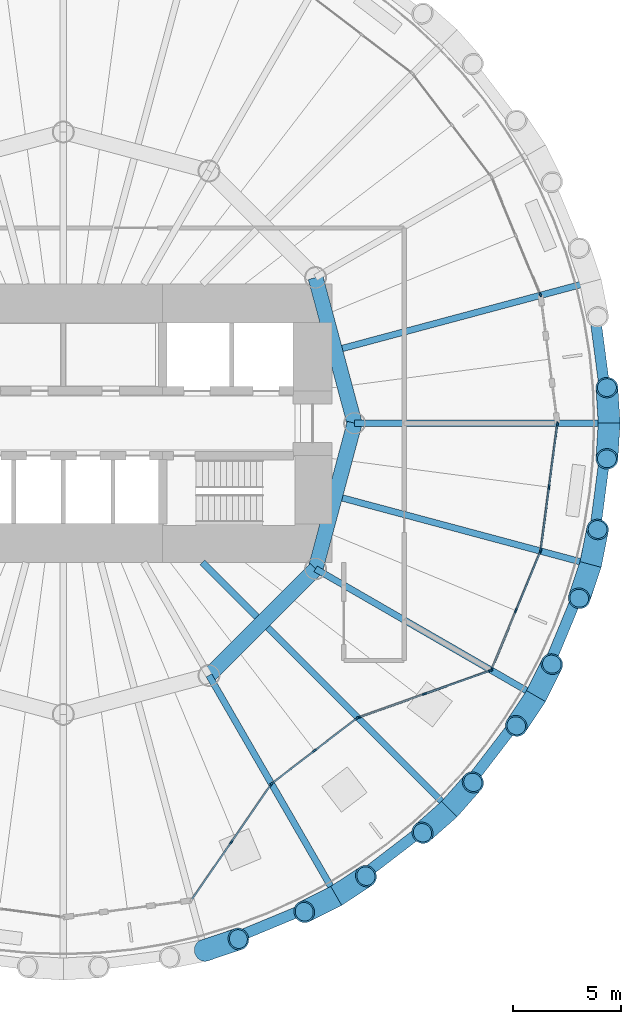
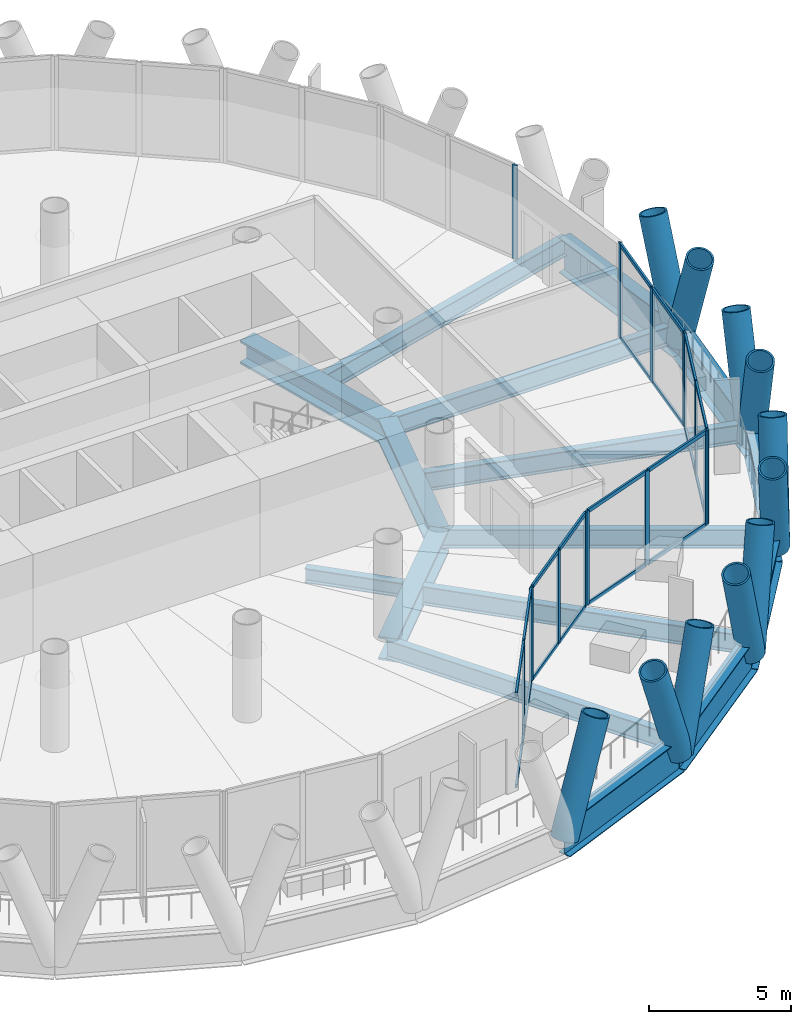
# One storey, part 4 of 15: 46 members, 16 beams, 6 elements without a shape of their own.
"""IFC4 building model written with IfcOpenShell, lengths in metres."""

from ifc_helpers import new_model, si_unit, direction, frame, origin, origin_2d, place, context, subcontext, project, spatial, rectangle, hollow_circle, i_section, extrude, material, material_profile, profile_set, type_object, element, aggregate, save


model = new_model("IFC4")

# Units and contexts
model_context = context("Model", 3, precision=1e-05, world=origin(), true_north=direction((0.0, 1.0)))
body_context = subcontext(model_context, "Body", "Model", "MODEL_VIEW")
ifc_project = project(units=[si_unit("LENGTHUNIT", "METRE"), si_unit("AREAUNIT", "SQUARE_METRE"), si_unit("VOLUMEUNIT", "CUBIC_METRE"), si_unit("PLANEANGLEUNIT", "RADIAN"), si_unit("MASSUNIT", "GRAM", prefix="KILO")], contexts=[model_context])

# Site, building, storey
site_placement = place(None, origin())
site = spatial("IfcSite", under=ifc_project, at=site_placement, CompositionType="ELEMENT")
building_placement = place(site_placement, origin())
building = spatial("IfcBuilding", under=site, at=building_placement, Name="Qaws Media Tower", CompositionType="ELEMENT")
storey_placement = place(building_placement, frame((0.0, 0.0, 110.0)))
storey = spatial("IfcBuildingStorey", under=building, at=storey_placement, Name="L24", CompositionType="ELEMENT", Elevation=110.0)

# Curtain wall, member
ifc_material_1 = material(Name="Aluminium and clear glass", Category="aluminium")
curtain_wall_type_1 = type_object("IfcCurtainWallType", Name="Unitised curtain wall CW-B", PredefinedType="NOTDEFINED", material=ifc_material_1)
curtain_wall_1_placement = place(storey_placement, origin())
curtain_wall_1 = element("IfcCurtainWall", 1, at=curtain_wall_1_placement, inside=storey, type_object=curtain_wall_type_1, Name="CWB curtain wall L24-02", PredefinedType="NOTDEFINED")
ifc_material_2 = material(Name="Aluminium mullion", Category="aluminium")
ifc_material_profile_1 = material_profile(ifc_material_2, rectangle(XDim=0.080078125, YDim=0.199951171875, at=origin_2d()), Name="80x200")
ifc_profile_set_1 = profile_set([ifc_material_profile_1], Name="Aluminium mullion")
member_type_1 = type_object("IfcMemberType", Name="Curtain wall mullion 80x200", PredefinedType="MULLION", material=ifc_profile_set_1)
member_1_placement = place(storey_placement, frame((82.1044921875, 55.9638671875, 0.0), z_axis=(0.0, 0.0, 1.0), x_axis=(-0.923879575705, -0.382683328086, 0.0)))
member_1 = element("IfcMember", 2, at=member_1_placement, type_object=member_type_1, Name="CWB mullion 1", PredefinedType="MULLION", context=body_context, shape_type="SweptSolid", body=[
    extrude(rectangle(XDim=0.080078125, YDim=0.199951171875, at=origin_2d()), origin(), (0.0, 0.0, 1.0), 4.0400390625),
])
aggregate(curtain_wall_1, [member_1])

# Curtain wall, members
ifc_material_3 = material(Name="Aluminium and clear glass", Category="aluminium")
curtain_wall_type_2 = type_object("IfcCurtainWallType", Name="Loggia curtain wall CW-G", PredefinedType="NOTDEFINED", material=ifc_material_3)
curtain_wall_2_placement = place(storey_placement, origin())
curtain_wall_2 = element("IfcCurtainWall", 3, at=curtain_wall_2_placement, inside=storey, type_object=curtain_wall_type_2, Name="CWG curtain wall L24-20", PredefinedType="NOTDEFINED")
member_2_placement = place(storey_placement, frame((67.78857421875, 30.5830078125, 0.0), z_axis=(0.0, 0.0, 1.0), x_axis=(-0.823556254037, 0.567234604406, 0.0)))
member_2 = element("IfcMember", 4, at=member_2_placement, type_object=member_type_1, Name="CWG mullion 2", PredefinedType="MULLION", context=body_context, shape_type="SweptSolid", body=[
    extrude(rectangle(XDim=0.080078125, YDim=0.199951171875, at=origin_2d()), origin(), (0.0, 0.0, 1.0), 4.0400390625),
])
member_3_placement = place(storey_placement, frame((69.627197265625, 33.252685546875, 0.0), z_axis=(0.0, 0.0, 1.0), x_axis=(-0.823556254037, 0.567234604406, 0.0)))
member_3 = element("IfcMember", 5, at=member_3_placement, type_object=member_type_1, Name="CWG mullion 3", PredefinedType="MULLION", context=body_context, shape_type="SweptSolid", body=[
    extrude(rectangle(XDim=0.080078125, YDim=0.199951171875, at=origin_2d()), origin(), (0.0, 0.0, 1.0), 4.0400390625),
])

curtain_wall_3_placement = place(storey_placement, origin())
curtain_wall_3 = element("IfcCurtainWall", 6, at=curtain_wall_3_placement, inside=storey, type_object=curtain_wall_type_2, Name="CWG curtain wall L24-21", PredefinedType="NOTDEFINED")
member_4_placement = place(storey_placement, frame((69.681640625, 33.31005859375, 0.0), z_axis=(0.0, 0.0, 1.0), x_axis=(-0.608761365217, 0.79335338924, 0.0)))
member_4 = element("IfcMember", 7, at=member_4_placement, type_object=member_type_1, Name="CWG mullion 1", PredefinedType="MULLION", context=body_context, shape_type="SweptSolid", body=[
    extrude(rectangle(XDim=0.080078125, YDim=0.199951171875, at=origin_2d()), origin(), (0.0, 0.0, 1.0), 4.0400390625),
])
member_5_placement = place(storey_placement, frame((71.648681640625, 34.8193359375, 0.0), z_axis=(0.0, 0.0, 1.0), x_axis=(-0.608761365217, 0.79335338924, 0.0)))
member_5 = element("IfcMember", 8, at=member_5_placement, type_object=member_type_1, Name="CWG mullion 2", PredefinedType="MULLION", context=body_context, shape_type="SweptSolid", body=[
    extrude(rectangle(XDim=0.080078125, YDim=0.199951171875, at=origin_2d()), origin(), (0.0, 0.0, 1.0), 4.0400390625),
])
member_6_placement = place(storey_placement, frame((73.615478515625, 36.328369140625, 0.0), z_axis=(0.0, 0.0, 1.0), x_axis=(-0.608761365217, 0.79335338924, 0.0)))
member_6 = element("IfcMember", 9, at=member_6_placement, type_object=member_type_1, Name="CWG mullion 3", PredefinedType="MULLION", context=body_context, shape_type="SweptSolid", body=[
    extrude(rectangle(XDim=0.080078125, YDim=0.199951171875, at=origin_2d()), origin(), (0.0, 0.0, 1.0), 4.0400390625),
])

curtain_wall_4_placement = place(storey_placement, origin())
curtain_wall_4 = element("IfcCurtainWall", 10, at=curtain_wall_4_placement, inside=storey, type_object=curtain_wall_type_2, Name="CWG curtain wall L24-22", PredefinedType="NOTDEFINED")
member_7_placement = place(storey_placement, frame((73.684814453125, 36.3662109375, 0.0), z_axis=(0.0, 0.0, 1.0), x_axis=(-0.334754494882, 0.942305379459, 0.0)))
member_7 = element("IfcMember", 11, at=member_7_placement, type_object=member_type_1, Name="CWG mullion 1", PredefinedType="MULLION", context=body_context, shape_type="SweptSolid", body=[
    extrude(rectangle(XDim=0.080078125, YDim=0.199951171875, at=origin_2d()), origin(), (0.0, 0.0, 1.0), 4.0400390625),
])
member_8_placement = place(storey_placement, frame((76.739501953125, 37.451416015625, 0.0), z_axis=(0.0, 0.0, 1.0), x_axis=(-0.334754494882, 0.942305379459, 0.0)))
member_8 = element("IfcMember", 12, at=member_8_placement, type_object=member_type_1, Name="CWG mullion 2", PredefinedType="MULLION", context=body_context, shape_type="SweptSolid", body=[
    extrude(rectangle(XDim=0.080078125, YDim=0.199951171875, at=origin_2d()), origin(), (0.0, 0.0, 1.0), 4.0400390625),
])
member_9_placement = place(storey_placement, frame((79.794189453125, 38.53662109375, 0.0), z_axis=(0.0, 0.0, 1.0), x_axis=(-0.334754494882, 0.942305379459, 0.0)))
member_9 = element("IfcMember", 13, at=member_9_placement, type_object=member_type_1, Name="CWG mullion 3", PredefinedType="MULLION", context=body_context, shape_type="SweptSolid", body=[
    extrude(rectangle(XDim=0.080078125, YDim=0.199951171875, at=origin_2d()), origin(), (0.0, 0.0, 1.0), 4.0400390625),
])

curtain_wall_5_placement = place(storey_placement, origin())
curtain_wall_5 = element("IfcCurtainWall", 14, at=curtain_wall_5_placement, inside=storey, type_object=curtain_wall_type_1, Name="CWB curtain wall L24-23", PredefinedType="NOTDEFINED")
member_10_placement = place(storey_placement, frame((79.84716796875, 38.5869140625, 0.0), z_axis=(0.0, 0.0, 1.0), x_axis=(-0.923879575705, 0.382683328086, 0.0)))
member_10 = element("IfcMember", 15, at=member_10_placement, type_object=member_type_1, Name="CWB mullion 1", PredefinedType="MULLION", context=body_context, shape_type="SweptSolid", body=[
    extrude(rectangle(XDim=0.080078125, YDim=0.199951171875, at=origin_2d()), origin(), (0.0, 0.0, 1.0), 4.0400390625),
])
member_11_placement = place(storey_placement, frame((80.975830078125, 41.3115234375, 0.0), z_axis=(0.0, 0.0, 1.0), x_axis=(-0.923879575705, 0.382683328086, 0.0)))
member_11 = element("IfcMember", 16, at=member_11_placement, type_object=member_type_1, Name="CWB mullion 2", PredefinedType="MULLION", context=body_context, shape_type="SweptSolid", body=[
    extrude(rectangle(XDim=0.080078125, YDim=0.199951171875, at=origin_2d()), origin(), (0.0, 0.0, 1.0), 4.0400390625),
])
member_12_placement = place(storey_placement, frame((82.1044921875, 44.0361328125, 0.0), z_axis=(0.0, 0.0, 1.0), x_axis=(-0.923879575705, 0.382683328086, 0.0)))
member_12 = element("IfcMember", 17, at=member_12_placement, type_object=member_type_1, Name="CWB mullion 3", PredefinedType="MULLION", context=body_context, shape_type="SweptSolid", body=[
    extrude(rectangle(XDim=0.080078125, YDim=0.199951171875, at=origin_2d()), origin(), (0.0, 0.0, 1.0), 4.0400390625),
])

curtain_wall_6_placement = place(storey_placement, origin())
curtain_wall_6 = element("IfcCurtainWall", 18, at=curtain_wall_6_placement, inside=storey, type_object=curtain_wall_type_1, Name="CWB curtain wall L24-24", PredefinedType="NOTDEFINED")
member_13_placement = place(storey_placement, frame((82.125, 44.11279296875, 0.0), z_axis=(0.0, 0.0, 1.0), x_axis=(-0.99144485186, 0.130526264481, 0.0)))
member_13 = element("IfcMember", 19, at=member_13_placement, type_object=member_type_1, Name="CWB mullion 1", PredefinedType="MULLION", context=body_context, shape_type="SweptSolid", body=[
    extrude(rectangle(XDim=0.080078125, YDim=0.199951171875, at=origin_2d()), origin(), (0.0, 0.0, 1.0), 4.0400390625),
])
member_14_placement = place(storey_placement, frame((82.509765625, 47.03662109375, 0.0), z_axis=(0.0, 0.0, 1.0), x_axis=(-0.99144485186, 0.130526264481, 0.0)))
member_14 = element("IfcMember", 20, at=member_14_placement, type_object=member_type_1, Name="CWB mullion 2", PredefinedType="MULLION", context=body_context, shape_type="SweptSolid", body=[
    extrude(rectangle(XDim=0.080078125, YDim=0.199951171875, at=origin_2d()), origin(), (0.0, 0.0, 1.0), 4.0400390625),
])
member_15_placement = place(storey_placement, frame((82.894775390625, 49.96044921875, 0.0), z_axis=(0.0, 0.0, 1.0), x_axis=(-0.99144485186, 0.130526264481, 0.0)))
member_15 = element("IfcMember", 21, at=member_15_placement, type_object=member_type_1, Name="CWB mullion 3", PredefinedType="MULLION", context=body_context, shape_type="SweptSolid", body=[
    extrude(rectangle(XDim=0.080078125, YDim=0.199951171875, at=origin_2d()), origin(), (0.0, 0.0, 1.0), 4.0400390625),
])

# Member
ifc_material_4 = material(Name="Aluminium transom", Category="aluminium")
ifc_material_profile_2 = material_profile(ifc_material_4, rectangle(XDim=0.080078125, YDim=0.159912109375, at=origin_2d()), Name="80x160")
ifc_profile_set_2 = profile_set([ifc_material_profile_2], Name="Aluminium transom")
member_type_2 = type_object("IfcMemberType", Name="Curtain wall transom 80x160", PredefinedType="USERDEFINED", material=ifc_profile_set_2)
member_16_placement = place(storey_placement, frame((65.972412109375, 27.9462890625, 0.0400390625), z_axis=(0.567252867706, 0.823543674664, 0.0), x_axis=(-0.823543674664, 0.567252867706, 0.0)))
member_16 = element("IfcMember", 22, at=member_16_placement, type_object=member_type_2, Name="CWG transom 1.1", ObjectType="TRANSOM", PredefinedType="USERDEFINED", context=body_context, shape_type="SweptSolid", body=[
    extrude(rectangle(XDim=0.080078125, YDim=0.159912109375, at=origin_2d()), origin(), (0.0, 0.0, 1.0), 3.16162109375),
])

member_17_placement = place(storey_placement, frame((65.972412109375, 27.9462890625, 4.0), z_axis=(0.567252867706, 0.823543674664, 0.0), x_axis=(-0.823543674664, 0.567252867706, 0.0)))
member_17 = element("IfcMember", 23, at=member_17_placement, type_object=member_type_2, Name="CWG transom 1.2", ObjectType="TRANSOM", PredefinedType="USERDEFINED", context=body_context, shape_type="SweptSolid", body=[
    extrude(rectangle(XDim=0.080078125, YDim=0.159912109375, at=origin_2d()), origin(), (0.0, 0.0, 1.0), 3.16162109375),
])

member_18_placement = place(storey_placement, frame((67.811279296875, 30.615966796875, 0.0400390625), z_axis=(0.567252867706, 0.823543674664, 0.0), x_axis=(-0.823543674664, 0.567252867706, 0.0)))
member_18 = element("IfcMember", 24, at=member_18_placement, type_object=member_type_2, Name="CWG transom 2.1", ObjectType="TRANSOM", PredefinedType="USERDEFINED", context=body_context, shape_type="SweptSolid", body=[
    extrude(rectangle(XDim=0.080078125, YDim=0.159912109375, at=origin_2d()), origin(), (0.0, 0.0, 1.0), 3.16162109375),
])

member_19_placement = place(storey_placement, frame((67.811279296875, 30.615966796875, 4.0), z_axis=(0.567252867706, 0.823543674664, 0.0), x_axis=(-0.823543674664, 0.567252867706, 0.0)))
member_19 = element("IfcMember", 25, at=member_19_placement, type_object=member_type_2, Name="CWG transom 2.2", ObjectType="TRANSOM", PredefinedType="USERDEFINED", context=body_context, shape_type="SweptSolid", body=[
    extrude(rectangle(XDim=0.080078125, YDim=0.159912109375, at=origin_2d()), origin(), (0.0, 0.0, 1.0), 3.16162109375),
])

aggregate(curtain_wall_2, [member_2, member_3, member_16, member_17, member_18, member_19])

member_20_placement = place(storey_placement, frame((69.71337890625, 33.33447265625, 0.0400390625), z_axis=(0.793395038858, 0.608707082525, 0.0), x_axis=(-0.608707082525, 0.793395038858, 0.0)))
member_20 = element("IfcMember", 26, at=member_20_placement, type_object=member_type_2, Name="CWG transom 1.1", ObjectType="TRANSOM", PredefinedType="USERDEFINED", context=body_context, shape_type="SweptSolid", body=[
    extrude(rectangle(XDim=0.080078125, YDim=0.159912109375, at=origin_2d()), origin(), (0.0, 0.0, 1.0), 2.399169921875),
])

member_21_placement = place(storey_placement, frame((69.71337890625, 33.33447265625, 4.0), z_axis=(0.793395038858, 0.608707082525, 0.0), x_axis=(-0.608707082525, 0.793395038858, 0.0)))
member_21 = element("IfcMember", 27, at=member_21_placement, type_object=member_type_2, Name="CWG transom 1.2", ObjectType="TRANSOM", PredefinedType="USERDEFINED", context=body_context, shape_type="SweptSolid", body=[
    extrude(rectangle(XDim=0.080078125, YDim=0.159912109375, at=origin_2d()), origin(), (0.0, 0.0, 1.0), 2.399169921875),
])

member_22_placement = place(storey_placement, frame((71.680419921875, 34.843505859375, 0.0400390625), z_axis=(0.793308183126, 0.608820274454, 0.0), x_axis=(-0.608820274454, 0.793308183126, 0.0)))
member_22 = element("IfcMember", 28, at=member_22_placement, type_object=member_type_2, Name="CWG transom 2.1", ObjectType="TRANSOM", PredefinedType="USERDEFINED", context=body_context, shape_type="SweptSolid", body=[
    extrude(rectangle(XDim=0.080078125, YDim=0.159912109375, at=origin_2d()), origin(), (0.0, 0.0, 1.0), 2.399169921875),
])

member_23_placement = place(storey_placement, frame((71.680419921875, 34.843505859375, 4.0), z_axis=(0.793308183126, 0.608820274454, 0.0), x_axis=(-0.608820274454, 0.793308183126, 0.0)))
member_23 = element("IfcMember", 29, at=member_23_placement, type_object=member_type_2, Name="CWG transom 2.2", ObjectType="TRANSOM", PredefinedType="USERDEFINED", context=body_context, shape_type="SweptSolid", body=[
    extrude(rectangle(XDim=0.080078125, YDim=0.159912109375, at=origin_2d()), origin(), (0.0, 0.0, 1.0), 2.399169921875),
])

aggregate(curtain_wall_3, [member_4, member_5, member_6, member_20, member_21, member_22, member_23])

member_24_placement = place(storey_placement, frame((73.72265625, 36.379638671875, 0.0400390625), z_axis=(0.942308359385, 0.334746106526, 0.0), x_axis=(-0.334746106526, 0.942308359385, 0.0)))
member_24 = element("IfcMember", 30, at=member_24_placement, type_object=member_type_2, Name="CWG transom 1.1", ObjectType="TRANSOM", PredefinedType="USERDEFINED", context=body_context, shape_type="SweptSolid", body=[
    extrude(rectangle(XDim=0.080078125, YDim=0.159912109375, at=origin_2d()), origin(), (0.0, 0.0, 1.0), 3.16162109375),
])

member_25_placement = place(storey_placement, frame((73.72265625, 36.379638671875, 4.0), z_axis=(0.942308359385, 0.334746106526, 0.0), x_axis=(-0.334746106526, 0.942308359385, 0.0)))
member_25 = element("IfcMember", 31, at=member_25_placement, type_object=member_type_2, Name="CWG transom 1.2", ObjectType="TRANSOM", PredefinedType="USERDEFINED", context=body_context, shape_type="SweptSolid", body=[
    extrude(rectangle(XDim=0.080078125, YDim=0.159912109375, at=origin_2d()), origin(), (0.0, 0.0, 1.0), 3.16162109375),
])

member_26_placement = place(storey_placement, frame((76.77734375, 37.46484375, 0.0400390625), z_axis=(0.942308359385, 0.334746106526, 0.0), x_axis=(-0.334746106526, 0.942308359385, 0.0)))
member_26 = element("IfcMember", 32, at=member_26_placement, type_object=member_type_2, Name="CWG transom 2.1", ObjectType="TRANSOM", PredefinedType="USERDEFINED", context=body_context, shape_type="SweptSolid", body=[
    extrude(rectangle(XDim=0.080078125, YDim=0.159912109375, at=origin_2d()), origin(), (0.0, 0.0, 1.0), 3.16162109375),
])

member_27_placement = place(storey_placement, frame((76.77734375, 37.46484375, 4.0), z_axis=(0.942308359385, 0.334746106526, 0.0), x_axis=(-0.334746106526, 0.942308359385, 0.0)))
member_27 = element("IfcMember", 33, at=member_27_placement, type_object=member_type_2, Name="CWG transom 2.2", ObjectType="TRANSOM", PredefinedType="USERDEFINED", context=body_context, shape_type="SweptSolid", body=[
    extrude(rectangle(XDim=0.080078125, YDim=0.159912109375, at=origin_2d()), origin(), (0.0, 0.0, 1.0), 3.16162109375),
])

aggregate(curtain_wall_4, [member_7, member_8, member_9, member_24, member_25, member_26, member_27])

member_28_placement = place(storey_placement, frame((79.862548828125, 38.6240234375, 0.0400390625), z_axis=(0.382674959875, 0.923883041886, 0.0), x_axis=(-0.923883041886, 0.382674959875, 0.0)))
member_28 = element("IfcMember", 34, at=member_28_placement, type_object=member_type_2, Name="CWB transom 1.1", ObjectType="TRANSOM", PredefinedType="USERDEFINED", context=body_context, shape_type="SweptSolid", body=[
    extrude(rectangle(XDim=0.080078125, YDim=0.159912109375, at=origin_2d()), origin(), (0.0, 0.0, 1.0), 2.868896484375),
])

member_29_placement = place(storey_placement, frame((79.862548828125, 38.6240234375, 4.0), z_axis=(0.382674959875, 0.923883041886, 0.0), x_axis=(-0.923883041886, 0.382674959875, 0.0)))
member_29 = element("IfcMember", 35, at=member_29_placement, type_object=member_type_2, Name="CWB transom 1.2", ObjectType="TRANSOM", PredefinedType="USERDEFINED", context=body_context, shape_type="SweptSolid", body=[
    extrude(rectangle(XDim=0.080078125, YDim=0.159912109375, at=origin_2d()), origin(), (0.0, 0.0, 1.0), 2.868896484375),
])

member_30_placement = place(storey_placement, frame((80.9912109375, 41.348388671875, 0.0400390625), z_axis=(0.382674959875, 0.923883041886, 0.0), x_axis=(-0.923883041886, 0.382674959875, 0.0)))
member_30 = element("IfcMember", 36, at=member_30_placement, type_object=member_type_2, Name="CWB transom 2.1", ObjectType="TRANSOM", PredefinedType="USERDEFINED", context=body_context, shape_type="SweptSolid", body=[
    extrude(rectangle(XDim=0.080078125, YDim=0.159912109375, at=origin_2d()), origin(), (0.0, 0.0, 1.0), 2.868896484375),
])

member_31_placement = place(storey_placement, frame((80.9912109375, 41.348388671875, 4.0), z_axis=(0.382674959875, 0.923883041886, 0.0), x_axis=(-0.923883041886, 0.382674959875, 0.0)))
member_31 = element("IfcMember", 37, at=member_31_placement, type_object=member_type_2, Name="CWB transom 2.2", ObjectType="TRANSOM", PredefinedType="USERDEFINED", context=body_context, shape_type="SweptSolid", body=[
    extrude(rectangle(XDim=0.080078125, YDim=0.159912109375, at=origin_2d()), origin(), (0.0, 0.0, 1.0), 2.868896484375),
])

aggregate(curtain_wall_5, [member_10, member_11, member_12, member_28, member_29, member_30, member_31])

member_32_placement = place(storey_placement, frame((82.130126953125, 44.15234375, 0.0400390625), z_axis=(0.130535957862, 0.991443575654, 0.0), x_axis=(-0.991443575654, 0.130535957862, 0.0)))
member_32 = element("IfcMember", 38, at=member_32_placement, type_object=member_type_2, Name="CWB transom 1.1", ObjectType="TRANSOM", PredefinedType="USERDEFINED", context=body_context, shape_type="SweptSolid", body=[
    extrude(rectangle(XDim=0.080078125, YDim=0.159912109375, at=origin_2d()), origin(), (0.0, 0.0, 1.0), 2.869140625),
])

member_33_placement = place(storey_placement, frame((82.130126953125, 44.15234375, 4.0), z_axis=(0.130535957862, 0.991443575654, 0.0), x_axis=(-0.991443575654, 0.130535957862, 0.0)))
member_33 = element("IfcMember", 39, at=member_33_placement, type_object=member_type_2, Name="CWB transom 1.2", ObjectType="TRANSOM", PredefinedType="USERDEFINED", context=body_context, shape_type="SweptSolid", body=[
    extrude(rectangle(XDim=0.080078125, YDim=0.159912109375, at=origin_2d()), origin(), (0.0, 0.0, 1.0), 2.869140625),
])

member_34_placement = place(storey_placement, frame((82.51513671875, 47.076171875, 0.0400390625), z_axis=(0.130535957862, 0.991443575654, 0.0), x_axis=(-0.991443575654, 0.130535957862, 0.0)))
member_34 = element("IfcMember", 40, at=member_34_placement, type_object=member_type_2, Name="CWB transom 2.1", ObjectType="TRANSOM", PredefinedType="USERDEFINED", context=body_context, shape_type="SweptSolid", body=[
    extrude(rectangle(XDim=0.080078125, YDim=0.159912109375, at=origin_2d()), origin(), (0.0, 0.0, 1.0), 2.869140625),
])

member_35_placement = place(storey_placement, frame((82.51513671875, 47.076171875, 4.0), z_axis=(0.130535957862, 0.991443575654, 0.0), x_axis=(-0.991443575654, 0.130535957862, 0.0)))
member_35 = element("IfcMember", 41, at=member_35_placement, type_object=member_type_2, Name="CWB transom 2.2", ObjectType="TRANSOM", PredefinedType="USERDEFINED", context=body_context, shape_type="SweptSolid", body=[
    extrude(rectangle(XDim=0.080078125, YDim=0.159912109375, at=origin_2d()), origin(), (0.0, 0.0, 1.0), 2.869140625),
])

aggregate(curtain_wall_6, [member_13, member_14, member_15, member_32, member_33, member_34, member_35])

# Members
ifc_material_5 = material(Name="Steel S460", Category="steel")
ifc_material_profile_3 = material_profile(ifc_material_5, hollow_circle(Radius=0.508056640625, WallThickness=0.070068359375, at=origin_2d()), Name="CHS 1016x70")
ifc_profile_set_3 = profile_set([ifc_material_profile_3], Name="Steel S460")
member_type_3 = type_object("IfcMemberType", Name="Diagrid member CHS 1016x70", PredefinedType="USERDEFINED", material=ifc_profile_set_3)
for number, where, z_axis, x_axis, name in (
    (42, (85.300048828125, 50.0, -0.909912109375), (-0.021924499222, 0.348115757593, 0.93719514278), (-0.998022609869, -0.062855947931, 0.0), "DG3 diagrid L24 A01"),
    (43, (85.300048828125, 50.0, -0.909912109375), (-0.021924499222, -0.348115757593, 0.93719514278), (0.998022609869, -0.062855947931, 0.0), "DG3 diagrid L24 B01"),
):
    element("IfcMember", number, at=place(storey_placement, frame(where, z_axis=z_axis, x_axis=x_axis)), inside=storey, type_object=member_type_3, Name=name, ObjectType="DIAGRID", PredefinedType="USERDEFINED", context=body_context, shape_type="SweptSolid", body=[
        extrude(hollow_circle(Radius=0.508056640625, WallThickness=0.070068359375, at=origin_2d()), origin(), (0.0, 0.0, 1.0), 4.74365234375),
    ])
member_36_placement = place(storey_placement, frame((66.548095703125, 25.56201171875, -0.909912109375), z_axis=(0.330611563198, 0.111318930759, 0.937178792939), x_axis=(-0.319103108477, 0.947720004094, 0.0)))
element("IfcMember", 44, at=member_36_placement, inside=storey, type_object=member_type_3, Name="DG3 diagrid L24 A20", ObjectType="DIAGRID", PredefinedType="USERDEFINED", context=body_context, shape_type="SweptSolid", body=[
    extrude(hollow_circle(Radius=0.508056640625, WallThickness=0.070068359375, at=origin_2d()), origin(), (0.0, 0.0, 1.0), 4.743896484375),
])
for number, where, z_axis, x_axis, name in (
    (45, (72.64990234375, 28.089599609375, -0.909912109375), (0.290524249556, 0.193048088589, 0.937191600428), (-0.553439756598, 0.832889209809, 0.0), "DG3 diagrid L24 A21"),
    (46, (72.64990234375, 28.089599609375, -0.909912109375), (-0.312449003566, -0.155066520795, 0.937192613233), (0.4445557978, -0.895751161117, 0.0), "DG3 diagrid L24 B21"),
    (47, (77.889892578125, 32.110107421875, -0.909912109375), (0.230617926796, 0.261703226457, 0.937190905367), (-0.750259666339, 0.661143277259, 0.0), "DG3 diagrid L24 A22"),
    (48, (77.889892578125, 32.110107421875, -0.909912109375), (-0.261703226457, -0.230617926796, 0.937190905367), (0.661143277259, -0.750259666339, 0.0), "DG3 diagrid L24 B22"),
    (49, (81.910400390625, 37.35009765625, -0.909912109375), (0.155066520795, 0.312449003566, 0.937192613233), (-0.895751161117, 0.4445557978, 0.0), "DG3 diagrid L24 A23"),
    (50, (81.910400390625, 37.35009765625, -0.909912109375), (-0.193048088589, -0.290524249556, 0.937191600428), (0.832889209809, -0.553439756598, 0.0), "DG3 diagrid L24 B23"),
    (51, (84.43798828125, 43.451904296875, -0.909912109375), (0.068912694466, 0.341938716978, 0.937192058424), (-0.980290192388, 0.197562999339, 0.0), "DG3 diagrid L24 A24"),
):
    element("IfcMember", number, at=place(storey_placement, frame(where, z_axis=z_axis, x_axis=x_axis)), inside=storey, type_object=member_type_3, Name=name, ObjectType="DIAGRID", PredefinedType="USERDEFINED", context=body_context, shape_type="SweptSolid", body=[
        extrude(hollow_circle(Radius=0.508056640625, WallThickness=0.070068359375, at=origin_2d()), origin(), (0.0, 0.0, 1.0), 4.74365234375),
    ])
member_37_placement = place(storey_placement, frame((84.43798828125, 43.451904296875, -0.909912109375), z_axis=(-0.111318930759, -0.330611563198, 0.937178792939), x_axis=(0.947720004094, -0.319103108477, 0.0)))
element("IfcMember", 52, at=member_37_placement, inside=storey, type_object=member_type_3, Name="DG3 diagrid L24 B24", ObjectType="DIAGRID", PredefinedType="USERDEFINED", context=body_context, shape_type="SweptSolid", body=[
    extrude(hollow_circle(Radius=0.508056640625, WallThickness=0.070068359375, at=origin_2d()), origin(), (0.0, 0.0, 1.0), 4.743896484375),
])

# Beams
ifc_material_6 = material(Name="Steel S460", Category="steel")
ifc_material_profile_4 = material_profile(ifc_material_6, i_section(OverallWidth=0.5, OverallDepth=1.5, WebThickness=0.02001953125, FlangeThickness=0.0400390625, at=origin_2d()), Name="PG 1500x500")
ifc_profile_set_4 = profile_set([ifc_material_profile_4], Name="Steel S460")
beam_type_1 = type_object("IfcBeamType", Name="Edge ring beam PG 1500x500", PredefinedType="BEAM", material=ifc_profile_set_4)
for number, where, z_axis, x_axis, name in (
    (53, (85.300048828125, 50.0, -0.909912109375), (-0.130524315936, 0.991445108389, 0.0), (-0.991445108389, -0.130524315936, 0.0), "RB4 edge ring beam L24-01"),
    (54, (66.548095703125, 25.56201171875, -0.909912109375), (0.923872207905, 0.38270111505, 0.0), (-0.38270111505, 0.923872207905, 0.0), "RB4 edge ring beam L24-20"),
):
    element("IfcBeam", number, at=place(storey_placement, frame(where, z_axis=z_axis, x_axis=x_axis)), inside=storey, type_object=beam_type_1, Name=name, PredefinedType="BEAM", context=body_context, shape_type="SweptSolid", body=[
        extrude(i_section(OverallWidth=0.5, OverallDepth=1.5, WebThickness=0.02001953125, FlangeThickness=0.0400390625, at=origin_2d()), origin(), (0.0, 0.0, 1.0), 6.6044921875),
    ])
for number, where, z_axis, x_axis, name in (
    (55, (72.64990234375, 28.089599609375, -0.909912109375), (0.793373676497, 0.608734925432, 0.0), (-0.608734925432, 0.793373676497, 0.0), "RB4 edge ring beam L24-21"),
    (56, (77.889892578125, 32.110107421875, -0.909912109375), (0.608734925432, 0.793373676497, 0.0), (-0.793373676497, 0.608734925432, 0.0), "RB4 edge ring beam L24-22"),
):
    element("IfcBeam", number, at=place(storey_placement, frame(where, z_axis=z_axis, x_axis=x_axis)), inside=storey, type_object=beam_type_1, Name=name, PredefinedType="BEAM", context=body_context, shape_type="SweptSolid", body=[
        extrude(i_section(OverallWidth=0.5, OverallDepth=1.5, WebThickness=0.02001953125, FlangeThickness=0.0400390625, at=origin_2d()), origin(), (0.0, 0.0, 1.0), 6.604736328125),
    ])
for number, where, z_axis, x_axis, name in (
    (57, (81.910400390625, 37.35009765625, -0.909912109375), (0.38270111505, 0.923872207905, 0.0), (-0.923872207905, 0.38270111505, 0.0), "RB4 edge ring beam L24-23"),
    (58, (84.43798828125, 43.451904296875, -0.909912109375), (0.130524315936, 0.991445108389, 0.0), (-0.991445108389, 0.130524315936, 0.0), "RB4 edge ring beam L24-24"),
):
    element("IfcBeam", number, at=place(storey_placement, frame(where, z_axis=z_axis, x_axis=x_axis)), inside=storey, type_object=beam_type_1, Name=name, PredefinedType="BEAM", context=body_context, shape_type="SweptSolid", body=[
        extrude(i_section(OverallWidth=0.5, OverallDepth=1.5, WebThickness=0.02001953125, FlangeThickness=0.0400390625, at=origin_2d()), origin(), (0.0, 0.0, 1.0), 6.6044921875),
    ])
ifc_material_7 = material(Name="Steel S460", Category="steel")
ifc_material_profile_5 = material_profile(ifc_material_7, i_section(OverallWidth=0.699951171875, OverallDepth=1.0, WebThickness=0.034912109375, FlangeThickness=0.090087890625, at=origin_2d()), Name="PG 1000x700")
ifc_profile_set_5 = profile_set([ifc_material_profile_5], Name="Steel S460")
beam_type_2 = type_object("IfcBeamType", Name="Inner ring girder PG 1000x700", PredefinedType="BEAM", material=ifc_profile_set_5)
beam_1_placement = place(storey_placement, frame((73.5, 50.0, -0.659912109375), z_axis=(-0.258810593767, 0.965928090778, 0.0), x_axis=(-0.965928090778, -0.258810593767, 0.0)))
element("IfcBeam", 59, at=beam_1_placement, inside=storey, type_object=beam_type_2, Name="B3 inner ring beam L24 I01-I02", PredefinedType="BEAM", context=body_context, shape_type="SweptSolid", body=[
    extrude(i_section(OverallWidth=0.699951171875, OverallDepth=1.0, WebThickness=0.034912109375, FlangeThickness=0.090087890625, at=origin_2d()), origin(), (0.0, 0.0, 1.0), 6.988037109375),
])
beam_2_placement = place(storey_placement, frame((66.75, 38.30859375, -0.659912109375), z_axis=(0.707106781187, 0.707106781187, 0.0), x_axis=(-0.707106781187, 0.707106781187, 0.0)))
element("IfcBeam", 60, at=beam_2_placement, inside=storey, type_object=beam_type_2, Name="B3 inner ring beam L24 I11-I12", PredefinedType="BEAM", context=body_context, shape_type="SweptSolid", body=[
    extrude(i_section(OverallWidth=0.699951171875, OverallDepth=1.0, WebThickness=0.034912109375, FlangeThickness=0.090087890625, at=origin_2d()), origin(), (0.0, 0.0, 1.0), 6.98828125),
])
beam_3_placement = place(storey_placement, frame((71.69140625, 43.25, -0.659912109375), z_axis=(0.258810593767, 0.965928090778, 0.0), x_axis=(-0.965928090778, 0.258810593767, 0.0)))
element("IfcBeam", 61, at=beam_3_placement, inside=storey, type_object=beam_type_2, Name="B3 inner ring beam L24 I12-I01", PredefinedType="BEAM", context=body_context, shape_type="SweptSolid", body=[
    extrude(i_section(OverallWidth=0.699951171875, OverallDepth=1.0, WebThickness=0.034912109375, FlangeThickness=0.090087890625, at=origin_2d()), origin(), (0.0, 0.0, 1.0), 6.988037109375),
])
ifc_material_8 = material(Name="Steel S355", Category="steel")
ifc_material_profile_6 = material_profile(ifc_material_8, i_section(OverallWidth=0.304931640625, OverallDepth=0.6201171875, WebThickness=0.02099609375, FlangeThickness=0.0400390625, FilletRadius=0.027099609375, at=origin_2d()), Name="HE 600 M")
ifc_profile_set_6 = profile_set([ifc_material_profile_6], Name="Steel S355")
beam_type_3 = type_object("IfcBeamType", Name="Radial beam HE 600 M, core side", PredefinedType="BEAM", material=ifc_profile_set_6)
beam_4_placement = place(storey_placement, frame((66.449951171875, 43.550048828125, -0.469970703125), z_axis=(0.707106781187, -0.707106781187, 0.0), x_axis=(0.707106781187, 0.707106781187, 0.0)))
element("IfcBeam", 62, at=beam_4_placement, inside=storey, type_object=beam_type_3, Name="B2 radial beam L24 22", PredefinedType="BEAM", context=body_context, shape_type="SweptSolid", body=[
    extrude(i_section(OverallWidth=0.304931640625, OverallDepth=0.6201171875, WebThickness=0.02099609375, FlangeThickness=0.0400390625, FilletRadius=0.027099609375, at=origin_2d()), origin(), (0.0, 0.0, 1.0), 3.568359375),
])
ifc_material_9 = material(Name="Steel S355", Category="steel")
ifc_material_profile_7 = material_profile(ifc_material_9, i_section(OverallWidth=0.300048828125, OverallDepth=0.800048828125, WebThickness=0.017578125, FlangeThickness=0.032958984375, FilletRadius=0.030029296875, at=origin_2d()), Name="HE 800 B")
ifc_profile_set_7 = profile_set([ifc_material_profile_7], Name="Steel S355")
beam_type_4 = type_object("IfcBeamType", Name="Radial beam HE 800 B", PredefinedType="BEAM", material=ifc_profile_set_7)
beam_5_placement = place(storey_placement, frame((73.5, 50.0, -0.56005859375), z_axis=(1.0, 0.0, 0.0), x_axis=(0.0, 1.0, 0.0)))
element("IfcBeam", 63, at=beam_5_placement, inside=storey, type_object=beam_type_4, Name="B1 radial beam L24 01", PredefinedType="BEAM", context=body_context, shape_type="SweptSolid", body=[
    extrude(i_section(OverallWidth=0.300048828125, OverallDepth=0.800048828125, WebThickness=0.017578125, FlangeThickness=0.032958984375, FilletRadius=0.030029296875, at=origin_2d()), origin(), (0.0, 0.0, 1.0), 11.800048828125),
])
beam_6_placement = place(storey_placement, frame((72.933837890625, 53.465576171875, -0.56005859375), z_axis=(0.965925999999, 0.258818396808, 0.0), x_axis=(-0.258818396808, 0.965925999999, 0.0)))
element("IfcBeam", 64, at=beam_6_placement, inside=storey, type_object=beam_type_4, Name="B1 radial beam L24 02", PredefinedType="BEAM", context=body_context, shape_type="SweptSolid", body=[
    extrude(i_section(OverallWidth=0.300048828125, OverallDepth=0.800048828125, WebThickness=0.017578125, FlangeThickness=0.032958984375, FilletRadius=0.030029296875, at=origin_2d()), origin(), (0.0, 0.0, 1.0), 11.909912109375),
])
beam_7_placement = place(storey_placement, frame((66.75, 38.30859375, -0.56005859375), z_axis=(0.499997668984, -0.866026749593, 0.0), x_axis=(0.866026749593, 0.499997668984, 0.0)))
element("IfcBeam", 65, at=beam_7_placement, inside=storey, type_object=beam_type_4, Name="B1 radial beam L24 21", PredefinedType="BEAM", context=body_context, shape_type="SweptSolid", body=[
    extrude(i_section(OverallWidth=0.300048828125, OverallDepth=0.800048828125, WebThickness=0.017578125, FlangeThickness=0.032958984375, FilletRadius=0.030029296875, at=origin_2d()), origin(), (0.0, 0.0, 1.0), 11.7998046875),
])
beam_8_placement = place(storey_placement, frame((69.46826171875, 40.53173828125, -0.56005859375), z_axis=(0.707106781187, -0.707106781187, 0.0), x_axis=(0.707106781187, 0.707106781187, 0.0)))
element("IfcBeam", 66, at=beam_8_placement, inside=storey, type_object=beam_type_4, Name="B1 radial beam L24 22", PredefinedType="BEAM", context=body_context, shape_type="SweptSolid", body=[
    extrude(i_section(OverallWidth=0.300048828125, OverallDepth=0.800048828125, WebThickness=0.017578125, FlangeThickness=0.032958984375, FilletRadius=0.030029296875, at=origin_2d()), origin(), (0.0, 0.0, 1.0), 11.909912109375),
])
beam_9_placement = place(storey_placement, frame((71.69140625, 43.25, -0.56005859375), z_axis=(0.866026749593, -0.499997668984, 0.0), x_axis=(0.499997668984, 0.866026749593, 0.0)))
element("IfcBeam", 67, at=beam_9_placement, inside=storey, type_object=beam_type_4, Name="B1 radial beam L24 23", PredefinedType="BEAM", context=body_context, shape_type="SweptSolid", body=[
    extrude(i_section(OverallWidth=0.300048828125, OverallDepth=0.800048828125, WebThickness=0.017578125, FlangeThickness=0.032958984375, FilletRadius=0.030029296875, at=origin_2d()), origin(), (0.0, 0.0, 1.0), 11.7998046875),
])
beam_10_placement = place(storey_placement, frame((72.933837890625, 46.534423828125, -0.56005859375), z_axis=(0.965925999999, -0.258818396808, 0.0), x_axis=(0.258818396808, 0.965925999999, 0.0)))
element("IfcBeam", 68, at=beam_10_placement, inside=storey, type_object=beam_type_4, Name="B1 radial beam L24 24", PredefinedType="BEAM", context=body_context, shape_type="SweptSolid", body=[
    extrude(i_section(OverallWidth=0.300048828125, OverallDepth=0.800048828125, WebThickness=0.017578125, FlangeThickness=0.032958984375, FilletRadius=0.030029296875, at=origin_2d()), origin(), (0.0, 0.0, 1.0), 11.909912109375),
])

save(model, "model.ifc")
